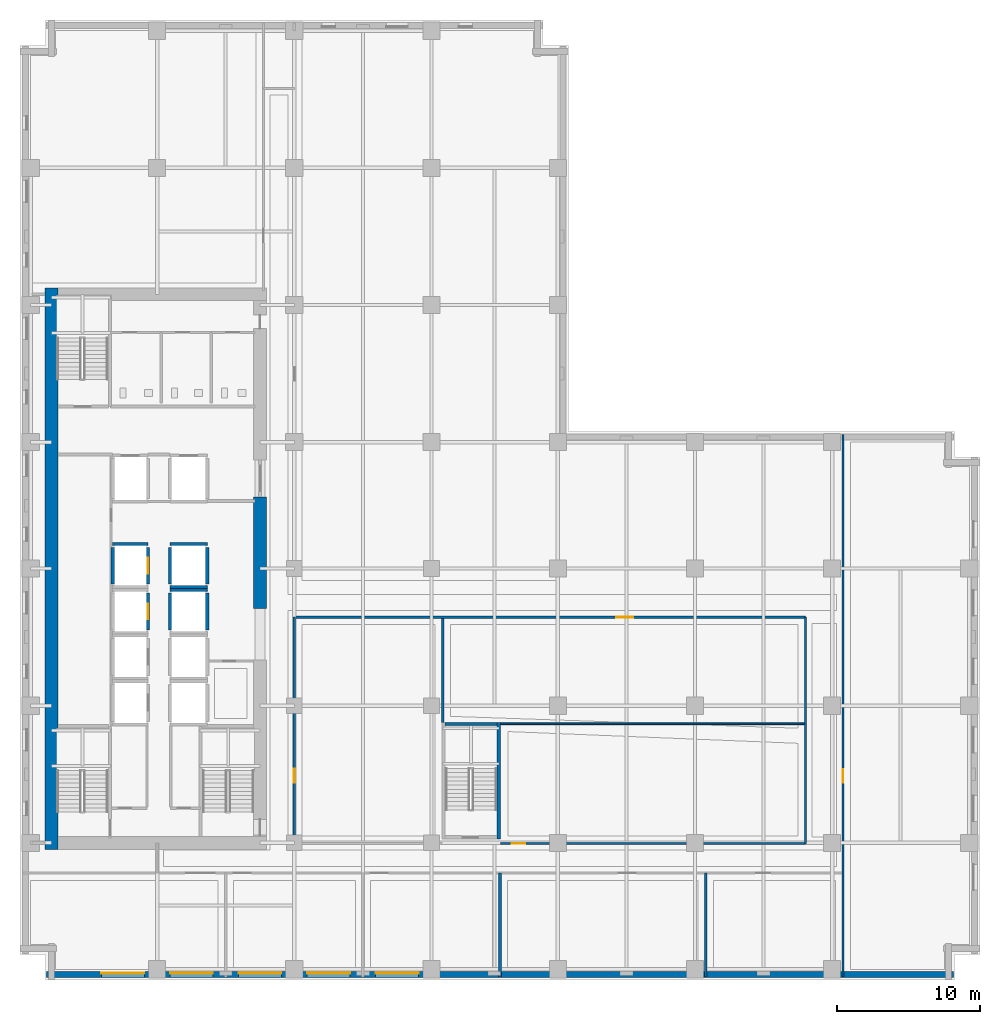
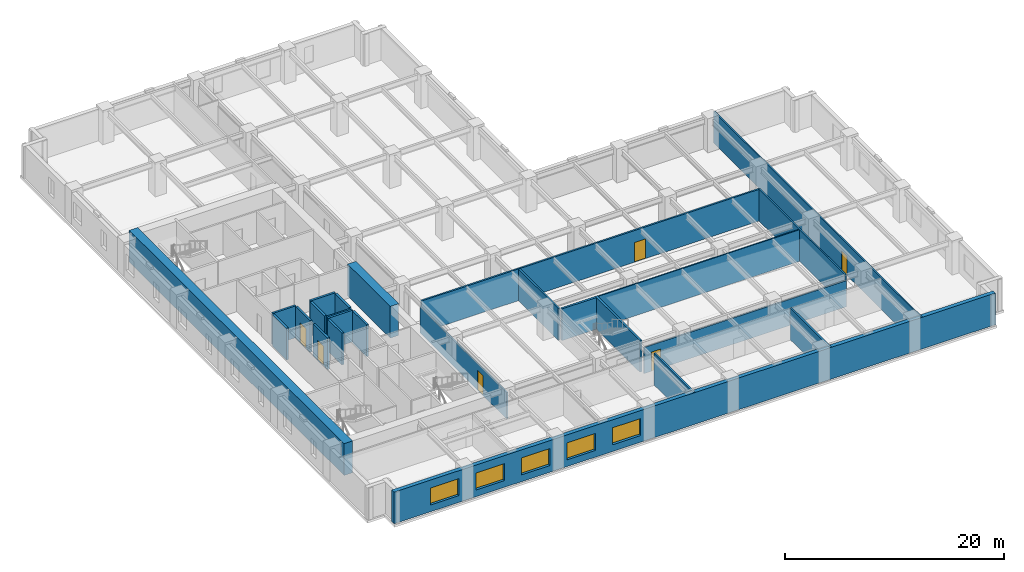
# One storey, part 5 of 13: 25 walls, 6 doors, 5 windows, 11 openings.
"""IFC4 building model written with IfcOpenShell, lengths in metres."""

import ifcopenshell
import ifcopenshell.guid

model = None  # the IFC model being written
_history = None  # IfcOwnerHistory: only IFC2X3 demands one
_inside = {}  # id of a spatial element -> (the spatial element, [elements in it])
_under = {}  # id of a project, library or spatial element -> (it, [spatial elements below it])
_declared = {}  # id of a project -> (the project, [libraries it declares])
_typed = {}  # id of a type object -> (the type object, [elements of that type])
_made_of = {}  # id of a material, layer set ... -> (it, [elements and type objects made of it])


def new_model(schema):
    """Start an empty IFC model of exactly this schema.

    Asked for "IFC4X3", IfcOpenShell would pick the latest addendum, in which some entities
    have other attributes; the version numbers below select the first issue.
    IFC2X3 requires an IfcOwnerHistory on every rooted entity: one is made here for all.
    """
    global model, _history
    if schema == "IFC4X3":
        model = ifcopenshell.file(schema_version=(4, 3, 0, 0))
    else:
        model = ifcopenshell.file(schema=schema)
    _inside.clear()
    _under.clear()
    _declared.clear()
    _typed.clear()
    _made_of.clear()
    _history = None
    if model.schema == "IFC2X3":
        org = make("IfcOrganization", Name="unknown")
        user = make(
            "IfcPersonAndOrganization",
            ThePerson=make("IfcPerson", FamilyName="unknown"),
            TheOrganization=org,
        )
        app = make(
            "IfcApplication",
            ApplicationDeveloper=org,
            Version="unknown",
            ApplicationFullName="unknown",
            ApplicationIdentifier="unknown",
        )
        _history = make(
            "IfcOwnerHistory",
            OwningUser=user,
            OwningApplication=app,
            ChangeAction="ADDED",
            CreationDate=0,
        )
    return model


def make(cls, **values):
    """One entity of the class cls with the attributes given. An attribute that is None is left unset."""
    return model.create_entity(
        cls, **{name: value for name, value in values.items() if value is not None}
    )


def rooted(cls, **values):
    """An entity with a GlobalId (a new one), such as an element, a storey or a relation."""
    return make(cls, GlobalId=ifcopenshell.guid.new(), OwnerHistory=_history, **values)


def si_unit(unit_type, name, prefix=None):
    """IfcSIUnit, for example si_unit("LENGTHUNIT", "METRE", prefix="MILLI")."""
    return make("IfcSIUnit", UnitType=unit_type, Prefix=prefix, Name=name)


def assignment(units):
    """IfcUnitAssignment: the units of a project."""
    return None if units is None else make("IfcUnitAssignment", Units=units)


def point(xyz):
    """IfcCartesianPoint."""
    return None if xyz is None else make("IfcCartesianPoint", Coordinates=xyz)


def direction(xyz):
    """IfcDirection."""
    return None if xyz is None else make("IfcDirection", DirectionRatios=xyz)


def frame(location, z_axis=None, x_axis=None):
    """IfcAxis2Placement3D, a coordinate frame: its origin and axes. An axis left out is left unset."""
    return make(
        "IfcAxis2Placement3D",
        Location=point(location),
        Axis=direction(z_axis),
        RefDirection=direction(x_axis),
    )


def frame_2d(location, x_axis=None):
    """IfcAxis2Placement2D, a coordinate frame in the plane: its origin and x axis."""
    return make(
        "IfcAxis2Placement2D", Location=point(location), RefDirection=direction(x_axis)
    )


def origin():
    """The frame at (0, 0, 0) with its axes left unset."""
    return frame((0.0, 0.0, 0.0))


def place(relative_to, where):
    """IfcLocalPlacement: puts the frame where relative to a parent placement (None: the world)."""
    return make(
        "IfcLocalPlacement", PlacementRelTo=relative_to, RelativePlacement=where
    )


def context(
    kind, dimensions, precision=None, world=None, true_north=None, identifier=None
):
    """IfcGeometricRepresentationContext, for example the 3D "Model" context."""
    return make(
        "IfcGeometricRepresentationContext",
        ContextIdentifier=identifier,
        ContextType=kind,
        CoordinateSpaceDimension=dimensions,
        Precision=precision,
        WorldCoordinateSystem=world,
        TrueNorth=true_north,
    )


def subcontext(parent, identifier, kind, view, scale=None):
    """IfcGeometricRepresentationSubContext, for example "Body" below "Model"."""
    return make(
        "IfcGeometricRepresentationSubContext",
        ContextIdentifier=identifier,
        ContextType=kind,
        ParentContext=parent,
        TargetScale=scale,
        TargetView=view,
    )


def project(units=None, contexts=None):
    """IfcProject with its units and contexts."""
    return rooted(
        "IfcProject",
        Name="project",
        RepresentationContexts=contexts,
        UnitsInContext=assignment(units),
    )


def spatial(cls, under=None, at=None, **own):
    """A site, building, storey or space (cls), placed at a placement, below another one or the project."""
    s = rooted(cls, ObjectPlacement=at, **own)
    if under is not None:
        _under.setdefault(under.id(), (under, []))[1].append(s)
    return s


def profile(cls, at=None, kind="AREA", **sizes):
    """A parametric profile (cls). Its sizes go by their IFC names, for example OverallWidth=200.0."""
    return make(cls, ProfileType=kind, Position=at, **sizes)


def rectangle(**sizes):
    """IfcRectangleProfileDef."""
    return profile("IfcRectangleProfileDef", **sizes)


def extrude(swept, where, along, depth):
    """IfcExtrudedAreaSolid: the profile swept, set in the frame where, extruded along a direction by depth."""
    return make(
        "IfcExtrudedAreaSolid",
        SweptArea=swept,
        Position=where,
        ExtrudedDirection=direction(along),
        Depth=depth,
    )


def shape(context_of_items, identifier, shape_type, items):
    """IfcShapeRepresentation: the items that make up one representation, for example the "Body"."""
    return make(
        "IfcShapeRepresentation",
        ContextOfItems=context_of_items,
        RepresentationIdentifier=identifier,
        RepresentationType=shape_type,
        Items=items,
    )


def material(Name=None, Category=None):
    """IfcMaterial."""
    return make("IfcMaterial", Name=Name, Category=Category)


def layer(
    of_material, thickness, ventilated=None, Name=None, Category=None, Priority=None
):
    """IfcMaterialLayer: one layer of a wall or slab, of a material (None: an air gap)."""
    return make(
        "IfcMaterialLayer",
        Material=of_material,
        LayerThickness=thickness,
        IsVentilated=ventilated,
        Name=Name,
        Category=Category,
        Priority=Priority,
    )


def layer_set(layers, Name=None):
    """IfcMaterialLayerSet."""
    return make("IfcMaterialLayerSet", MaterialLayers=layers, LayerSetName=Name)


def made_of(thing, what):
    """Note that an element or type object is made of a material, layer set ...; save() writes the relation."""
    if what is not None:
        _made_of.setdefault(what.id(), (what, []))[1].append(thing)
    return thing


def type_object(cls, material=None, **own):
    """A type object (cls), such as IfcWallType, which elements share."""
    return made_of(rooted(cls, **own), material)


def element(
    cls,
    number,
    at=None,
    inside=None,
    cuts=None,
    type_object=None,
    material=None,
    context=None,
    identifier="Body",
    shape_type=None,
    held_by="IfcProductDefinitionShape",
    body=None,
    shapes=None,
    **own,
):
    """One element of the class cls, such as IfcWall. Its Tag is "e" and its number.

    at: its placement. inside: the storey or other place that contains it. cuts: it is an
    opening in that element (IfcRelVoidsElement). A single representation is given by context,
    identifier, shape_type and body (its items); several are given by shapes. held_by: the class
    of the entity that holds the representations. save() writes the other relations.
    """
    e = rooted(cls, Tag="e%d" % number, ObjectPlacement=at, **own)
    if body is not None:
        shapes = [shape(context, identifier, shape_type, body)]
    if shapes is not None:
        e.Representation = make(held_by, Representations=shapes)
    if inside is not None:
        _inside.setdefault(inside.id(), (inside, []))[1].append(e)
    if cuts is not None:
        rooted(
            "IfcRelVoidsElement", RelatingBuildingElement=cuts, RelatedOpeningElement=e
        )
    if type_object is not None:
        _typed.setdefault(type_object.id(), (type_object, []))[1].append(e)
    return made_of(e, material)


def fill(opening, filler):
    """IfcRelFillsElement: the door or window that sits in an opening."""
    return rooted(
        "IfcRelFillsElement",
        RelatingOpeningElement=opening,
        RelatedBuildingElement=filler,
    )


def aggregate(whole, parts):
    """IfcRelAggregates: a whole, such as a stair, and the parts it consists of."""
    return rooted("IfcRelAggregates", RelatingObject=whole, RelatedObjects=parts)


def save(model, path):
    """Write the relations noted so far, then the file.

    IfcRelAggregates (storeys below a building ...), IfcRelContainedInSpatialStructure (elements
    in a storey), IfcRelDefinesByType, IfcRelAssociatesMaterial and IfcRelDeclares: one each for
    every whole, place, type object, material and project.
    """
    for whole, parts in _under.values():
        aggregate(whole, parts)
    for where, things in _inside.values():
        rooted(
            "IfcRelContainedInSpatialStructure",
            RelatedElements=things,
            RelatingStructure=where,
        )
    for kind, things in _typed.values():
        rooted("IfcRelDefinesByType", RelatedObjects=things, RelatingType=kind)
    for what, things in _made_of.values():
        rooted("IfcRelAssociatesMaterial", RelatedObjects=things, RelatingMaterial=what)
    for by, libraries in _declared.values():
        rooted("IfcRelDeclares", RelatingContext=by, RelatedDefinitions=libraries)
    model.write(path)


model = new_model("IFC4")

# Units and contexts
model_context = context("Model", 3, precision=1e-05, world=origin(), true_north=direction((0.0, 1.0)))
body_context = subcontext(model_context, "Body", "Model", "MODEL_VIEW")
ifc_project = project(units=[si_unit("LENGTHUNIT", "METRE"), si_unit("AREAUNIT", "SQUARE_METRE"), si_unit("VOLUMEUNIT", "CUBIC_METRE"), si_unit("PLANEANGLEUNIT", "RADIAN"), si_unit("MASSUNIT", "GRAM", prefix="KILO")], contexts=[model_context])

# Site, building, storey
site_placement = place(None, origin())
site = spatial("IfcSite", under=ifc_project, at=site_placement, CompositionType="ELEMENT")
building_placement = place(site_placement, origin())
building = spatial("IfcBuilding", under=site, at=building_placement, Name="Norrvale University Quadrangle", CompositionType="ELEMENT")
storey_placement = place(building_placement, frame((0.0, 0.0, 31.800048828125)))
storey = spatial("IfcBuildingStorey", under=building, at=storey_placement, Name="L07", CompositionType="ELEMENT", Elevation=31.800048828125)

# Wall, openings, windows
ifc_material_1 = material(Name="Buff Norman Clay Brick Masonry", Category="masonry")
ifc_layer_1 = layer(ifc_material_1, 0.419921875, Name="Buff Norman Clay Brick Masonry")
ifc_layer_set_1 = layer_set([ifc_layer_1], Name="Buff Norman Clay Brick Masonry")
wall_type_1 = type_object("IfcWallType", Name="Wall Buff Brick 420", PredefinedType="SOLIDWALL", material=ifc_layer_set_1)
wall_1_placement = place(storey_placement, frame((1.840087890625, 0.389892578125, 0.0), z_axis=(0.0, 0.0, 1.0), x_axis=(1.0, 0.0, 0.0)))
wall_1 = element("IfcWall", 1, at=wall_1_placement, inside=storey, type_object=wall_type_1, Name="Exterior Brick Facade Wall L07-01.1", PredefinedType="SOLIDWALL", context=body_context, shape_type="SweptSolid", body=[
    extrude(rectangle(XDim=63.52001953125, YDim=0.419921875, at=frame_2d((31.760009765625, 0.0))), origin(), (0.0, 0.0, 1.0), 3.5400390625),
])
opening_1_placement = place(wall_1_placement, frame((3.860107421875, 0.0, 0.75)))
opening_1 = element("IfcOpeningElement", 2, at=opening_1_placement, cuts=wall_1, Name="Opening W08", PredefinedType="OPENING", context=body_context, shape_type="SweptSolid", body=[
    extrude(rectangle(XDim=3.0, YDim=1.89990234375, at=frame_2d((1.5, 0.949951171875))), frame((0.0, 0.221923828125, 0.0), z_axis=(0.0, -1.0, 0.0), x_axis=(1.0, 0.0, 0.0)), (0.0, 0.0, 1.0), 0.44384765625),
])
opening_2_placement = place(wall_1_placement, frame((8.659912109375, 0.0, 0.75)))
opening_2 = element("IfcOpeningElement", 3, at=opening_2_placement, cuts=wall_1, Name="Opening W08", PredefinedType="OPENING", context=body_context, shape_type="SweptSolid", body=[
    extrude(rectangle(XDim=3.0, YDim=1.89990234375, at=frame_2d((1.5, 0.949951171875))), frame((0.0, 0.221923828125, 0.0), z_axis=(0.0, -1.0, 0.0), x_axis=(1.0, 0.0, 0.0)), (0.0, 0.0, 1.0), 0.44384765625),
])
opening_3_placement = place(wall_1_placement, frame((13.4599609375, 0.0, 0.75)))
opening_3 = element("IfcOpeningElement", 4, at=opening_3_placement, cuts=wall_1, Name="Opening W08", PredefinedType="OPENING", context=body_context, shape_type="SweptSolid", body=[
    extrude(rectangle(XDim=3.0, YDim=1.89990234375, at=frame_2d((1.5, 0.949951171875))), frame((0.0, 0.221923828125, 0.0), z_axis=(0.0, -1.0, 0.0), x_axis=(1.0, 0.0, 0.0)), (0.0, 0.0, 1.0), 0.44384765625),
])
opening_4_placement = place(wall_1_placement, frame((18.260009765625, 0.0, 0.75)))
opening_4 = element("IfcOpeningElement", 5, at=opening_4_placement, cuts=wall_1, Name="Opening W08", PredefinedType="OPENING", context=body_context, shape_type="SweptSolid", body=[
    extrude(rectangle(XDim=3.0, YDim=1.89990234375, at=frame_2d((1.5, 0.949951171875))), frame((0.0, 0.221923828125, 0.0), z_axis=(0.0, -1.0, 0.0), x_axis=(1.0, 0.0, 0.0)), (0.0, 0.0, 1.0), 0.44384765625),
])
opening_5_placement = place(wall_1_placement, frame((23.06005859375, 0.0, 0.75)))
opening_5 = element("IfcOpeningElement", 6, at=opening_5_placement, cuts=wall_1, Name="Opening W08", PredefinedType="OPENING", context=body_context, shape_type="SweptSolid", body=[
    extrude(rectangle(XDim=3.0, YDim=1.89990234375, at=frame_2d((1.5, 0.949951171875))), frame((0.0, 0.221923828125, 0.0), z_axis=(0.0, -1.0, 0.0), x_axis=(1.0, 0.0, 0.0)), (0.0, 0.0, 1.0), 0.44384765625),
])
ifc_material_2 = material(Name="Triple Low-E Argon Glazing", Category="glass")
window_type = type_object("IfcWindowType", Name="Window Lounge 3000x2500", PartitioningType="TRIPLE_PANEL_VERTICAL", PredefinedType="WINDOW", material=ifc_material_2)
window_1_placement = place(opening_1_placement, origin())
window_1 = element("IfcWindow", 7, at=window_1_placement, inside=storey, type_object=window_type, Name="Window Lounge 3000x2500 WIN-L07-E01-1-01", OverallHeight=1.89990234375, OverallWidth=3.0, PartitioningType="TRIPLE_PANEL_VERTICAL", PredefinedType="WINDOW", context=body_context, shape_type="SweptSolid", body=[
    extrude(rectangle(XDim=3.0, YDim=1.89990234375, at=frame_2d((1.5, 0.949951171875))), frame((0.0, 0.110107421875, 0.0), z_axis=(0.0, -1.0, 0.0), x_axis=(1.0, 0.0, 0.0)), (0.0, 0.0, 1.0), 0.06005859375),
])
fill(opening_1, window_1)
window_2_placement = place(opening_2_placement, origin())
window_2 = element("IfcWindow", 8, at=window_2_placement, inside=storey, type_object=window_type, Name="Window Lounge 3000x2500 WIN-L07-E01-1-02", OverallHeight=1.89990234375, OverallWidth=3.0, PartitioningType="TRIPLE_PANEL_VERTICAL", PredefinedType="WINDOW", context=body_context, shape_type="SweptSolid", body=[
    extrude(rectangle(XDim=3.0, YDim=1.89990234375, at=frame_2d((1.5, 0.949951171875))), frame((0.0, 0.110107421875, 0.0), z_axis=(0.0, -1.0, 0.0), x_axis=(1.0, 0.0, 0.0)), (0.0, 0.0, 1.0), 0.06005859375),
])
fill(opening_2, window_2)
window_3_placement = place(opening_3_placement, origin())
window_3 = element("IfcWindow", 9, at=window_3_placement, inside=storey, type_object=window_type, Name="Window Lounge 3000x2500 WIN-L07-E01-1-03", OverallHeight=1.89990234375, OverallWidth=3.0, PartitioningType="TRIPLE_PANEL_VERTICAL", PredefinedType="WINDOW", context=body_context, shape_type="SweptSolid", body=[
    extrude(rectangle(XDim=3.0, YDim=1.89990234375, at=frame_2d((1.5, 0.949951171875))), frame((0.0, 0.110107421875, 0.0), z_axis=(0.0, -1.0, 0.0), x_axis=(1.0, 0.0, 0.0)), (0.0, 0.0, 1.0), 0.06005859375),
])
fill(opening_3, window_3)
window_4_placement = place(opening_4_placement, origin())
window_4 = element("IfcWindow", 10, at=window_4_placement, inside=storey, type_object=window_type, Name="Window Lounge 3000x2500 WIN-L07-E01-1-04", OverallHeight=1.89990234375, OverallWidth=3.0, PartitioningType="TRIPLE_PANEL_VERTICAL", PredefinedType="WINDOW", context=body_context, shape_type="SweptSolid", body=[
    extrude(rectangle(XDim=3.0, YDim=1.89990234375, at=frame_2d((1.5, 0.949951171875))), frame((0.0, 0.110107421875, 0.0), z_axis=(0.0, -1.0, 0.0), x_axis=(1.0, 0.0, 0.0)), (0.0, 0.0, 1.0), 0.06005859375),
])
fill(opening_4, window_4)
window_5_placement = place(opening_5_placement, origin())
window_5 = element("IfcWindow", 11, at=window_5_placement, inside=storey, type_object=window_type, Name="Window Lounge 3000x2500 WIN-L07-E01-1-05", OverallHeight=1.89990234375, OverallWidth=3.0, PartitioningType="TRIPLE_PANEL_VERTICAL", PredefinedType="WINDOW", context=body_context, shape_type="SweptSolid", body=[
    extrude(rectangle(XDim=3.0, YDim=1.89990234375, at=frame_2d((1.5, 0.949951171875))), frame((0.0, 0.110107421875, 0.0), z_axis=(0.0, -1.0, 0.0), x_axis=(1.0, 0.0, 0.0)), (0.0, 0.0, 1.0), 0.06005859375),
])
fill(opening_5, window_5)

# Walls
ifc_material_3 = material(Name="Concrete C80/95", Category="concrete")
ifc_layer_2 = layer(ifc_material_3, 0.89990234375, Name="Concrete C80/95")
ifc_layer_set_2 = layer_set([ifc_layer_2], Name="Concrete C80/95")
wall_type_2 = type_object("IfcWallType", Name="Wall Core 900", PredefinedType="SHEAR", material=ifc_layer_set_2)
wall_2_placement = place(storey_placement, frame((2.199951171875, 9.14990234375, 0.0), z_axis=(0.0, 0.0, 1.0), x_axis=(0.0, 1.0, 0.0)))
element("IfcWall", 12, at=wall_2_placement, inside=storey, type_object=wall_type_2, Name="Tower Core Shear Wall L07-W", PredefinedType="SHEAR", context=body_context, shape_type="SweptSolid", body=[
    extrude(rectangle(XDim=39.300048828125, YDim=0.89990234375, at=frame_2d((19.64990234375, 0.0))), origin(), (0.0, 0.0, 1.0), 3.5400390625),
])
wall_3_placement = place(storey_placement, frame((16.800048828125, 26.0, 0.0), z_axis=(0.0, 0.0, 1.0), x_axis=(0.0, 1.0, 0.0)))
element("IfcWall", 13, at=wall_3_placement, inside=storey, type_object=wall_type_2, Name="Tower Core Shear Wall L07-E2", PredefinedType="SHEAR", context=body_context, shape_type="SweptSolid", body=[
    extrude(rectangle(XDim=7.800048828125, YDim=0.89990234375, at=frame_2d((3.89990234375, 0.0))), origin(), (0.0, 0.0, 1.0), 3.5400390625),
])
ifc_material_4 = material(Name="Standard Academic Gypsum Partition")
ifc_layer_3 = layer(ifc_material_4, 0.125, Name="Standard Academic Gypsum Partition")
ifc_layer_set_3 = layer_set([ifc_layer_3], Name="Standard Academic Gypsum Partition")
wall_type_3 = type_object("IfcWallType", Name="Wall Gypsum Academic 125", PredefinedType="PARTITIONING", material=ifc_layer_set_3)
wall_4_placement = place(storey_placement, frame((33.6201171875, 17.93994140625, 0.0), z_axis=(0.0, 0.0, 1.0), x_axis=(1.0, 0.0, 0.0)))
element("IfcWall", 14, at=wall_4_placement, inside=storey, type_object=wall_type_3, Name="Interior Partition WL-L07-ISLH", PredefinedType="PARTITIONING", context=body_context, shape_type="SweptSolid", body=[
    extrude(rectangle(XDim=21.35498046875, YDim=0.125, at=frame_2d((10.677490234375, 0.0))), origin(), (0.0, 0.0, 1.0), 3.5400390625),
])

# Wall, opening, door
ifc_material_5 = material(Name="Fire-Rated Gypsum Stud Partition")
ifc_layer_4 = layer(ifc_material_5, 0.14990234375, Name="Fire-Rated Gypsum Stud Partition")
ifc_layer_set_4 = layer_set([ifc_layer_4], Name="Fire-Rated Gypsum Stud Partition")
wall_type_4 = type_object("IfcWallType", Name="Wall Gypsum Corridor 150", PredefinedType="PARTITIONING", material=ifc_layer_set_4)
wall_5_placement = place(storey_placement, frame((57.60009765625, 0.219970703125, 0.0), z_axis=(0.0, 0.0, 1.0), x_axis=(0.0, 1.0, 0.0)))
wall_5 = element("IfcWall", 15, at=wall_5_placement, inside=storey, type_object=wall_type_4, Name="Interior Partition WL-L07-ECW", PredefinedType="PARTITIONING", context=body_context, shape_type="SweptSolid", body=[
    extrude(rectangle(XDim=37.9599609375, YDim=0.14990234375, at=frame_2d((18.97998046875, 0.0))), origin(), (0.0, 0.0, 1.0), 3.5400390625),
])
opening_6_placement = place(wall_5_placement, frame((13.580078125, 0.0, 0.0)))
opening_6 = element("IfcOpeningElement", 16, at=opening_6_placement, cuts=wall_5, Name="Opening D07", PredefinedType="OPENING", context=body_context, shape_type="SweptSolid", body=[
    extrude(rectangle(XDim=0.949951171875, YDim=2.14990234375, at=frame_2d((0.47509765625, 1.074951171875))), frame((0.0, 0.0869140625, 0.0), z_axis=(0.0, -1.0, 0.0), x_axis=(1.0, 0.0, 0.0)), (0.0, 0.0, 1.0), 0.173828125),
])
ifc_material_6 = material(Name="Solid-Core Maple Door", Category="wood")
door_type_1 = type_object("IfcDoorType", Name="Door Office 950x2150", OperationType="NOTDEFINED", PredefinedType="DOOR", material=ifc_material_6)
door_1_placement = place(opening_6_placement, origin())
door_1 = element("IfcDoor", 17, at=door_1_placement, inside=storey, type_object=door_type_1, Name="Door Office 950x2150 DR-L07-E01", OperationType="SINGLE_SWING_RIGHT", OverallHeight=2.14990234375, OverallWidth=0.949951171875, PredefinedType="DOOR", context=body_context, shape_type="SweptSolid", body=[
    extrude(rectangle(XDim=0.949951171875, YDim=2.14990234375, at=frame_2d((0.47509765625, 1.074951171875))), frame((0.0, 0.02490234375, 0.0), z_axis=(0.0, -1.0, 0.0), x_axis=(1.0, 0.0, 0.0)), (0.0, 0.0, 1.0), 0.050048828125),
])
fill(opening_6, door_1)

wall_6_placement = place(storey_placement, frame((19.199951171875, 9.550048828125, 0.0), z_axis=(0.0, 0.0, 1.0), x_axis=(0.0, 1.0, 0.0)))
wall_6 = element("IfcWall", 18, at=wall_6_placement, inside=storey, type_object=wall_type_4, Name="Interior Partition WL-L07-ISLW", PredefinedType="PARTITIONING", context=body_context, shape_type="SweptSolid", body=[
    extrude(rectangle(XDim=15.849853515625, YDim=0.14990234375, at=frame_2d((7.9248046875, 0.0))), origin(), (0.0, 0.0, 1.0), 2.9228515625),
])
opening_7_placement = place(wall_6_placement, frame((4.25, 0.0, 0.0)))
opening_7 = element("IfcOpeningElement", 19, at=opening_7_placement, cuts=wall_6, Name="Opening D04", PredefinedType="OPENING", context=body_context, shape_type="SweptSolid", body=[
    extrude(rectangle(XDim=1.0, YDim=2.199951171875, at=frame_2d((0.5, 1.10009765625))), frame((0.0, 0.0869140625, 0.0), z_axis=(0.0, -1.0, 0.0), x_axis=(1.0, 0.0, 0.0)), (0.0, 0.0, 1.0), 0.173828125),
])
ifc_material_7 = material(Name="Solid-Core Oak Fire Door", Category="wood")
door_type_2 = type_object("IfcDoorType", Name="Door Corridor 1000x2200", OperationType="NOTDEFINED", PredefinedType="DOOR", material=ifc_material_7)
door_2_placement = place(opening_7_placement, origin())
door_2 = element("IfcDoor", 20, at=door_2_placement, inside=storey, type_object=door_type_2, Name="Door Corridor 1000x2200 DR-L07-IW1", OperationType="SINGLE_SWING_LEFT", OverallHeight=2.199951171875, OverallWidth=1.0, PredefinedType="DOOR", context=body_context, shape_type="SweptSolid", body=[
    extrude(rectangle(XDim=1.0, YDim=2.199951171875, at=frame_2d((0.5, 1.10009765625))), frame((0.0, 0.02490234375, 0.0), z_axis=(0.0, -1.0, 0.0), x_axis=(1.0, 0.0, 0.0)), (0.0, 0.0, 1.0), 0.050048828125),
])
fill(opening_7, door_2)

wall_7_placement = place(storey_placement, frame((33.6201171875, 9.550048828125, 0.0), z_axis=(0.0, 0.0, 1.0), x_axis=(1.0, 0.0, 0.0)))
wall_7 = element("IfcWall", 21, at=wall_7_placement, inside=storey, type_object=wall_type_4, Name="Interior Partition WL-L07-ISLS2", PredefinedType="PARTITIONING", context=body_context, shape_type="SweptSolid", body=[
    extrude(rectangle(XDim=21.35498046875, YDim=0.14990234375, at=frame_2d((10.677490234375, 0.0))), origin(), (0.0, 0.0, 1.0), 2.9228515625),
])
opening_8_placement = place(wall_7_placement, frame((0.800048828125, 0.0, 0.0)))
opening_8 = element("IfcOpeningElement", 22, at=opening_8_placement, cuts=wall_7, Name="Opening D07", PredefinedType="OPENING", context=body_context, shape_type="SweptSolid", body=[
    extrude(rectangle(XDim=0.949951171875, YDim=2.14990234375, at=frame_2d((0.47509765625, 1.074951171875))), frame((0.0, 0.0869140625, 0.0), z_axis=(0.0, -1.0, 0.0), x_axis=(1.0, 0.0, 0.0)), (0.0, 0.0, 1.0), 0.173828125),
])
door_3_placement = place(opening_8_placement, origin())
door_3 = element("IfcDoor", 23, at=door_3_placement, inside=storey, type_object=door_type_1, Name="Door Office 950x2150 DR-L07-ISE", OperationType="SINGLE_SWING_LEFT", OverallHeight=2.14990234375, OverallWidth=0.949951171875, PredefinedType="DOOR", context=body_context, shape_type="SweptSolid", body=[
    extrude(rectangle(XDim=0.949951171875, YDim=2.14990234375, at=frame_2d((0.47509765625, 1.074951171875))), frame((0.0, 0.02490234375, 0.0), z_axis=(0.0, -1.0, 0.0), x_axis=(1.0, 0.0, 0.0)), (0.0, 0.0, 1.0), 0.050048828125),
])
fill(opening_8, door_3)

# Walls
wall_8_placement = place(storey_placement, frame((54.97509765625, 9.550048828125, 0.0), z_axis=(0.0, 0.0, 1.0), x_axis=(0.0, 1.0, 0.0)))
element("IfcWall", 24, at=wall_8_placement, inside=storey, type_object=wall_type_4, Name="Interior Partition WL-L07-ISLE", PredefinedType="PARTITIONING", context=body_context, shape_type="SweptSolid", body=[
    extrude(rectangle(XDim=15.849853515625, YDim=0.14990234375, at=frame_2d((7.9248046875, 0.0))), origin(), (0.0, 0.0, 1.0), 3.5400390625),
])
ifc_material_8 = material(Name="Acoustic Double-Stud Gypsum Partition")
ifc_layer_5 = layer(ifc_material_8, 0.179931640625, Name="Acoustic Double-Stud Gypsum Partition")
ifc_layer_set_5 = layer_set([ifc_layer_5], Name="Acoustic Double-Stud Gypsum Partition")
wall_type_5 = type_object("IfcWallType", Name="Wall Gypsum Lecture 180", PredefinedType="PARTITIONING", material=ifc_layer_set_5)
for number, where, z_axis, x_axis, name in (
    (25, (33.60009765625, 0.219970703125, 0.0), (0.0, 0.0, 1.0), (0.0, 1.0, 0.0), "Interior Partition WL-L07-SP03"),
    (26, (48.0, 0.219970703125, 0.0), (0.0, 0.0, 1.0), (0.0, 1.0, 0.0), "Interior Partition WL-L07-SP04"),
    (27, (29.580078125, 18.02490234375, 0.0), (0.0, 0.0, 1.0), (0.0, 1.0, 0.0), "Interior Partition WL-L07-ISLD"),
):
    element("IfcWall", number, at=place(storey_placement, frame(where, z_axis=z_axis, x_axis=x_axis)), inside=storey, type_object=wall_type_5, Name=name, PredefinedType="PARTITIONING", context=body_context, shape_type="SweptSolid", body=[
        extrude(rectangle(XDim=7.280029296875, YDim=0.179931640625, at=frame_2d((3.64013671875, 0.0))), origin(), (0.0, 0.0, 1.0), 3.5400390625),
    ])

# Wall, opening, door
wall_9_placement = place(storey_placement, frame((19.280029296875, 25.39990234375, 0.0), z_axis=(0.0, 0.0, 1.0), x_axis=(1.0, 0.0, 0.0)))
wall_9 = element("IfcWall", 28, at=wall_9_placement, inside=storey, type_object=wall_type_5, Name="Interior Partition WL-L07-ISLN", PredefinedType="PARTITIONING", context=body_context, shape_type="SweptSolid", body=[
    extrude(rectangle(XDim=35.695068359375, YDim=0.179931640625, at=frame_2d((17.84765625, 0.0))), origin(), (0.0, 0.0, 1.0), 3.5400390625),
])
opening_9_placement = place(wall_9_placement, frame((22.45703125, 0.0, 0.0)))
opening_9 = element("IfcOpeningElement", 29, at=opening_9_placement, cuts=wall_9, Name="Opening D05", PredefinedType="OPENING", context=body_context, shape_type="SweptSolid", body=[
    extrude(rectangle(XDim=1.199951171875, YDim=2.199951171875, at=frame_2d((0.60009765625, 1.10009765625))), frame((0.0, 0.10205078125, 0.0), z_axis=(0.0, -1.0, 0.0), x_axis=(1.0, 0.0, 0.0)), (0.0, 0.0, 1.0), 0.203857421875),
])
ifc_material_9 = material(Name="Acoustic Oak Classroom Door", Category="wood")
door_type_3 = type_object("IfcDoorType", Name="Door Classroom 1200x2200", OperationType="NOTDEFINED", PredefinedType="DOOR", material=ifc_material_9)
door_4_placement = place(opening_9_placement, origin())
door_4 = element("IfcDoor", 30, at=door_4_placement, inside=storey, type_object=door_type_3, Name="Door Classroom 1200x2200 DR-L07-ILH", OperationType="SINGLE_SWING_RIGHT", OverallHeight=2.199951171875, OverallWidth=1.199951171875, PredefinedType="DOOR", context=body_context, shape_type="SweptSolid", body=[
    extrude(rectangle(XDim=1.199951171875, YDim=2.199951171875, at=frame_2d((0.60009765625, 1.10009765625))), frame((0.0, 0.02490234375, 0.0), z_axis=(0.0, -1.0, 0.0), x_axis=(1.0, 0.0, 0.0)), (0.0, 0.0, 1.0), 0.050048828125),
])
fill(opening_9, door_4)

# Walls
ifc_material_10 = material(Name="Concrete Blockwork 20 MPa Fire Shaft", Category="masonry")
ifc_layer_6 = layer(ifc_material_10, 0.219970703125, Name="Concrete Blockwork 20 MPa Fire Shaft")
ifc_layer_set_6 = layer_set([ifc_layer_6], Name="Concrete Blockwork 20 MPa Fire Shaft")
wall_type_6 = type_object("IfcWallType", Name="Wall Shaft 220", PredefinedType="SOLIDWALL", material=ifc_layer_set_6)
wall_10_placement = place(storey_placement, frame((33.510009765625, 9.8798828125, 0.0), z_axis=(0.0, 0.0, 1.0), x_axis=(0.0, 1.0, 0.0)))
element("IfcWall", 31, at=wall_10_placement, inside=storey, type_object=wall_type_6, Name="Stair ST-04 East Shaft Wall L07", PredefinedType="SOLIDWALL", context=body_context, shape_type="SweptSolid", body=[
    extrude(rectangle(XDim=8.14013671875, YDim=0.219970703125, at=frame_2d((4.070068359375, 0.0))), origin(), (0.0, 0.0, 1.0), 3.5400390625),
])
wall_11_placement = place(storey_placement, frame((29.75, 17.909912109375, 0.0), z_axis=(0.0, 0.0, 1.0), x_axis=(1.0, 0.0, 0.0)))
element("IfcWall", 32, at=wall_11_placement, inside=storey, type_object=wall_type_6, Name="Stair ST-04 North Shaft Wall L07", PredefinedType="SOLIDWALL", context=body_context, shape_type="SweptSolid", body=[
    extrude(rectangle(XDim=3.64990234375, YDim=0.219970703125, at=frame_2d((1.824951171875, 0.0))), origin(), (0.0, 0.0, 1.0), 3.5400390625),
])

# Wall, opening, door
wall_12_placement = place(storey_placement, frame((8.9599609375, 24.510009765625, 0.0), z_axis=(0.0, 0.0, 1.0), x_axis=(0.0, 1.0, 0.0)))
wall_12 = element("IfcWall", 33, at=wall_12_placement, inside=storey, type_object=wall_type_6, Name="Hoistway PL-03 East Wall L07", PredefinedType="SOLIDWALL", context=body_context, shape_type="SweptSolid", body=[
    extrude(rectangle(XDim=2.580078125, YDim=0.219970703125, at=frame_2d((1.2900390625, 0.0))), origin(), (0.0, 0.0, 1.0), 3.5400390625),
])
opening_10_placement = place(wall_12_placement, frame((0.739990234375, 0.0, 0.0)))
opening_10 = element("IfcOpeningElement", 34, at=opening_10_placement, cuts=wall_12, Name="Opening LD1", PredefinedType="OPENING", context=body_context, shape_type="SweptSolid", body=[
    extrude(rectangle(XDim=1.10009765625, YDim=2.199951171875, at=frame_2d((0.550048828125, 1.10009765625))), frame((0.0, 0.1220703125, 0.0), z_axis=(0.0, -1.0, 0.0), x_axis=(1.0, 0.0, 0.0)), (0.0, 0.0, 1.0), 0.243896484375),
])
ifc_material_11 = material(Name="Stainless Steel 316L Lift Landing Door", Category="steel")
door_type_4 = type_object("IfcDoorType", Name="Door Lift Landing 1100x2200", OperationType="DOUBLE_DOOR_SLIDING", PredefinedType="DOOR", material=ifc_material_11)
door_5_placement = place(opening_10_placement, origin())
door_5 = element("IfcDoor", 35, at=door_5_placement, inside=storey, type_object=door_type_4, Name="Elevator Landing Door DR-L07-PL-03", OperationType="DOUBLE_DOOR_SLIDING", OverallHeight=2.199951171875, OverallWidth=1.10009765625, PredefinedType="DOOR", context=body_context, shape_type="SweptSolid", body=[
    extrude(rectangle(XDim=1.10009765625, YDim=2.199951171875, at=frame_2d((0.550048828125, 1.10009765625))), frame((0.0, 0.02490234375, 0.0), z_axis=(0.0, -1.0, 0.0), x_axis=(1.0, 0.0, 0.0)), (0.0, 0.0, 1.0), 0.050048828125),
])
fill(opening_10, door_5)

# Wall
wall_13_placement = place(storey_placement, frame((6.489990234375, 27.7099609375, 0.0), z_axis=(0.0, 0.0, 1.0), x_axis=(0.0, 1.0, 0.0)))
element("IfcWall", 36, at=wall_13_placement, inside=storey, type_object=wall_type_6, Name="Hoistway PL-04 West Wall L07", PredefinedType="SOLIDWALL", context=body_context, shape_type="SweptSolid", body=[
    extrude(rectangle(XDim=2.580078125, YDim=0.219970703125, at=frame_2d((1.2900390625, 0.0))), origin(), (0.0, 0.0, 1.0), 3.5400390625),
])

# Wall, opening, door
wall_14_placement = place(storey_placement, frame((8.9599609375, 27.7099609375, 0.0), z_axis=(0.0, 0.0, 1.0), x_axis=(0.0, 1.0, 0.0)))
wall_14 = element("IfcWall", 37, at=wall_14_placement, inside=storey, type_object=wall_type_6, Name="Hoistway PL-04 East Wall L07", PredefinedType="SOLIDWALL", context=body_context, shape_type="SweptSolid", body=[
    extrude(rectangle(XDim=2.580078125, YDim=0.219970703125, at=frame_2d((1.2900390625, 0.0))), origin(), (0.0, 0.0, 1.0), 3.5400390625),
])
opening_11_placement = place(wall_14_placement, frame((0.739990234375, 0.0, 0.0)))
opening_11 = element("IfcOpeningElement", 38, at=opening_11_placement, cuts=wall_14, Name="Opening LD1", PredefinedType="OPENING", context=body_context, shape_type="SweptSolid", body=[
    extrude(rectangle(XDim=1.10009765625, YDim=2.199951171875, at=frame_2d((0.550048828125, 1.10009765625))), frame((0.0, 0.1220703125, 0.0), z_axis=(0.0, -1.0, 0.0), x_axis=(1.0, 0.0, 0.0)), (0.0, 0.0, 1.0), 0.243896484375),
])
door_6_placement = place(opening_11_placement, origin())
door_6 = element("IfcDoor", 39, at=door_6_placement, inside=storey, type_object=door_type_4, Name="Elevator Landing Door DR-L07-PL-04", OperationType="DOUBLE_DOOR_SLIDING", OverallHeight=2.199951171875, OverallWidth=1.10009765625, PredefinedType="DOOR", context=body_context, shape_type="SweptSolid", body=[
    extrude(rectangle(XDim=1.10009765625, YDim=2.199951171875, at=frame_2d((0.550048828125, 1.10009765625))), frame((0.0, 0.02490234375, 0.0), z_axis=(0.0, -1.0, 0.0), x_axis=(1.0, 0.0, 0.0)), (0.0, 0.0, 1.0), 0.050048828125),
])
fill(opening_11, door_6)

# Walls
wall_15_placement = place(storey_placement, frame((6.489990234375, 30.510009765625, 0.0), z_axis=(0.0, 0.0, 1.0), x_axis=(1.0, 0.0, 0.0)))
element("IfcWall", 40, at=wall_15_placement, inside=storey, type_object=wall_type_6, Name="Hoistway PL-04 North Wall L07", PredefinedType="SOLIDWALL", context=body_context, shape_type="SweptSolid", body=[
    extrude(rectangle(XDim=2.469970703125, YDim=0.219970703125, at=frame_2d((1.23486328125, 0.0))), origin(), (0.0, 0.0, 1.0), 3.5400390625),
])
for number, where, z_axis, x_axis, name in (
    (41, (10.489990234375, 24.510009765625, 0.0), (0.0, 0.0, 1.0), (0.0, 1.0, 0.0), "Hoistway PL-07 West Wall L07"),
    (42, (13.110107421875, 24.510009765625, 0.0), (0.0, 0.0, 1.0), (0.0, 1.0, 0.0), "Hoistway PL-07 East Wall L07"),
):
    element("IfcWall", number, at=place(storey_placement, frame(where, z_axis=z_axis, x_axis=x_axis)), inside=storey, type_object=wall_type_6, Name=name, PredefinedType="SOLIDWALL", context=body_context, shape_type="SweptSolid", body=[
        extrude(rectangle(XDim=2.580078125, YDim=0.219970703125, at=frame_2d((1.2900390625, 0.0))), origin(), (0.0, 0.0, 1.0), 3.5400390625),
    ])
wall_16_placement = place(storey_placement, frame((10.489990234375, 27.31005859375, 0.0), z_axis=(0.0, 0.0, 1.0), x_axis=(1.0, 0.0, 0.0)))
element("IfcWall", 43, at=wall_16_placement, inside=storey, type_object=wall_type_6, Name="Hoistway PL-07 North Wall L07", PredefinedType="SOLIDWALL", context=body_context, shape_type="SweptSolid", body=[
    extrude(rectangle(XDim=2.6201171875, YDim=0.219970703125, at=frame_2d((1.31005859375, 0.0))), origin(), (0.0, 0.0, 1.0), 3.5400390625),
])
for number, where, z_axis, x_axis, name in (
    (44, (10.489990234375, 27.7099609375, 0.0), (0.0, 0.0, 1.0), (0.0, 1.0, 0.0), "Hoistway PL-08 West Wall L07"),
    (45, (13.110107421875, 27.7099609375, 0.0), (0.0, 0.0, 1.0), (0.0, 1.0, 0.0), "Hoistway PL-08 East Wall L07"),
):
    element("IfcWall", number, at=place(storey_placement, frame(where, z_axis=z_axis, x_axis=x_axis)), inside=storey, type_object=wall_type_6, Name=name, PredefinedType="SOLIDWALL", context=body_context, shape_type="SweptSolid", body=[
        extrude(rectangle(XDim=2.580078125, YDim=0.219970703125, at=frame_2d((1.2900390625, 0.0))), origin(), (0.0, 0.0, 1.0), 3.5400390625),
    ])
for number, where, z_axis, x_axis, name in (
    (46, (10.489990234375, 27.489990234375, 0.0), (0.0, 0.0, 1.0), (1.0, 0.0, 0.0), "Hoistway PL-08 South Wall L07"),
    (47, (10.489990234375, 30.510009765625, 0.0), (0.0, 0.0, 1.0), (1.0, 0.0, 0.0), "Hoistway PL-08 North Wall L07"),
):
    element("IfcWall", number, at=place(storey_placement, frame(where, z_axis=z_axis, x_axis=x_axis)), inside=storey, type_object=wall_type_6, Name=name, PredefinedType="SOLIDWALL", context=body_context, shape_type="SweptSolid", body=[
        extrude(rectangle(XDim=2.6201171875, YDim=0.219970703125, at=frame_2d((1.31005859375, 0.0))), origin(), (0.0, 0.0, 1.0), 3.5400390625),
    ])

save(model, "model.ifc")
